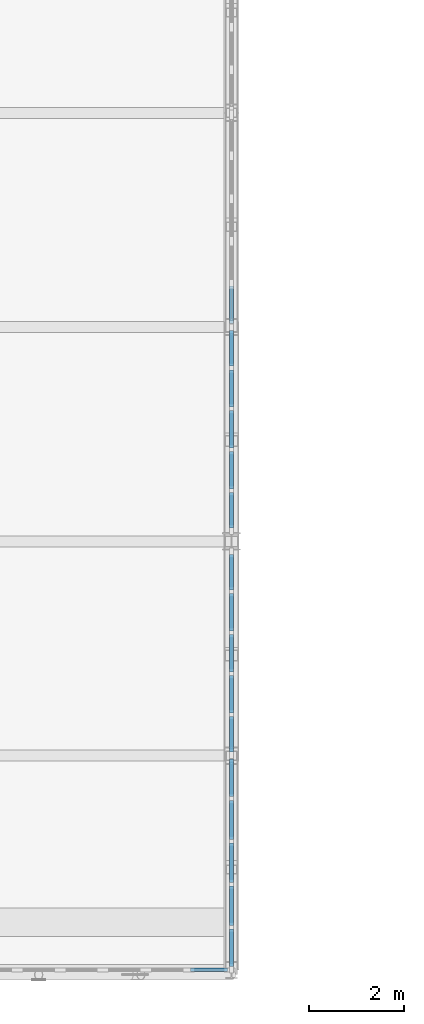
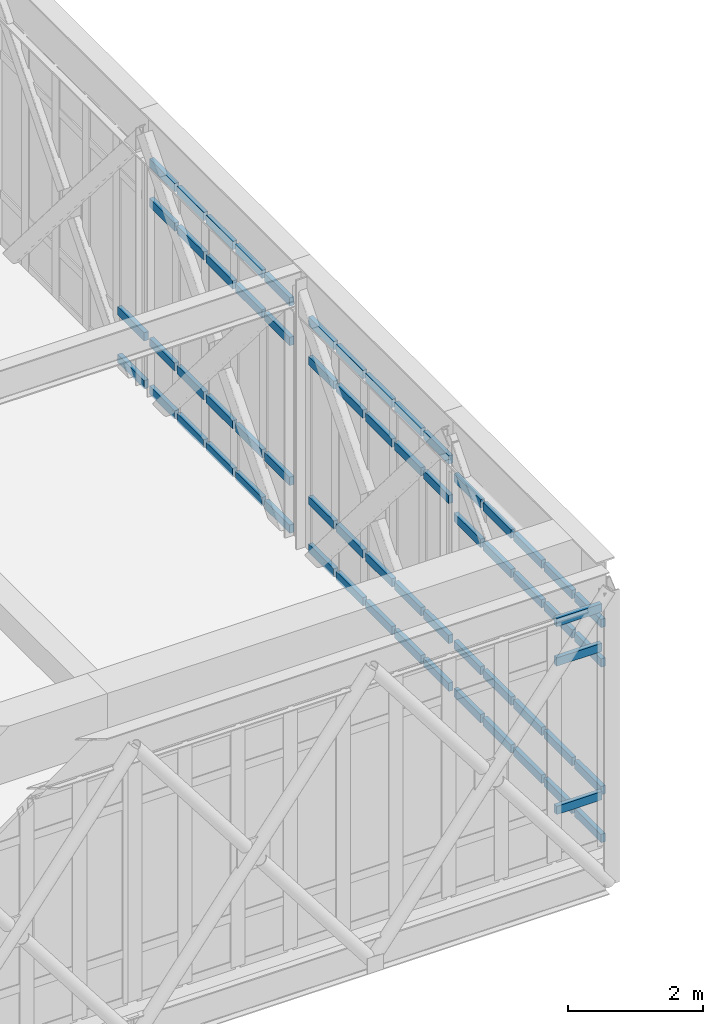
# One storey, part 33 of 70: 65 members, 5 elements without a shape of their own.
"""IFC4 building model written with IfcOpenShell, lengths in metres."""

from ifc_helpers import new_model, si_unit, direction, frame, origin, origin_2d, place, context, subcontext, project, spatial, rectangle, extrude, material, material_profile, profile_set, type_object, element, aggregate, save


model = new_model("IFC4")

# Units and contexts
model_context = context("Model", 3, precision=1e-05, world=origin(), true_north=direction((0.0, 1.0)))
body_context = subcontext(model_context, "Body", "Model", "MODEL_VIEW")
ifc_project = project(units=[si_unit("LENGTHUNIT", "METRE"), si_unit("AREAUNIT", "SQUARE_METRE"), si_unit("VOLUMEUNIT", "CUBIC_METRE"), si_unit("PLANEANGLEUNIT", "RADIAN"), si_unit("MASSUNIT", "GRAM", prefix="KILO")], contexts=[model_context])

# Site, building, storey
site_placement = place(None, origin())
site = spatial("IfcSite", under=ifc_project, at=site_placement, CompositionType="ELEMENT")
building_placement = place(site_placement, origin())
building = spatial("IfcBuilding", under=site, at=building_placement, Name="Tarnveldt Square Police Headquarters", CompositionType="ELEMENT")
storey_placement = place(building_placement, frame((0.0, 0.0, 19.800048828125)))
storey = spatial("IfcBuildingStorey", under=building, at=storey_placement, Name="L04", CompositionType="ELEMENT", Elevation=19.800048828125)

# Curtain wall, members
ifc_material_1 = material(Name="UL 752 Level III laminated ballistic vision glass", Category="glass")
curtain_wall_type_1 = type_object("IfcCurtainWallType", Name="CW-BL-810x433", PredefinedType="USERDEFINED", material=ifc_material_1)
curtain_wall_1_placement = place(storey_placement, origin())
curtain_wall_1 = element("IfcCurtainWall", 1, at=curtain_wall_1_placement, inside=storey, type_object=curtain_wall_type_1, Name="L04 Curtain Wall CW-L04-046", ObjectType="BALLISTIC CURTAIN WALL", PredefinedType="USERDEFINED")
ifc_material_2 = material(Name="Thermally broken anodised aluminium 6063-T6", Category="aluminium")
ifc_material_profile = material_profile(ifc_material_2, rectangle(XDim=0.074951171875, YDim=0.14990234375, at=origin_2d()), Name="CW-T75x150")
ifc_profile_set = profile_set([ifc_material_profile], Name="Thermally broken anodised aluminium 6063-T6")
member_type = type_object("IfcMemberType", Name="CWT-75x150", PredefinedType="USERDEFINED", material=ifc_profile_set)
member_1_placement = place(storey_placement, frame((63.9423828125, 7.0, 0.89990234375), z_axis=(1.0, 0.0, 0.0), x_axis=(0.0, 1.0, 0.0)))
member_1 = element("IfcMember", 2, at=member_1_placement, type_object=member_type, Name="CW-BL17 transom 9.2", ObjectType="TRANSOM", PredefinedType="USERDEFINED", context=body_context, shape_type="SweptSolid", body=[
    extrude(rectangle(XDim=0.074951171875, YDim=0.14990234375, at=origin_2d()), origin(), (0.0, 0.0, 1.0), 0.772705078125),
])
member_2_placement = place(storey_placement, frame((63.9423828125, 7.0, 3.576416015625), z_axis=(1.0, 0.0, 0.0), x_axis=(0.0, 1.0, 0.0)))
member_2 = element("IfcMember", 3, at=member_2_placement, type_object=member_type, Name="CW-BL17 transom 9.3", ObjectType="TRANSOM", PredefinedType="USERDEFINED", context=body_context, shape_type="SweptSolid", body=[
    extrude(rectangle(XDim=0.074951171875, YDim=0.14990234375, at=origin_2d()), origin(), (0.0, 0.0, 1.0), 0.772705078125),
])
member_3_placement = place(storey_placement, frame((63.9423828125, 7.0, 4.2890625), z_axis=(1.0, 0.0, 0.0), x_axis=(0.0, 1.0, 0.0)))
member_3 = element("IfcMember", 4, at=member_3_placement, type_object=member_type, Name="CW-BL17 transom 9.4", ObjectType="TRANSOM", PredefinedType="USERDEFINED", context=body_context, shape_type="SweptSolid", body=[
    extrude(rectangle(XDim=0.074951171875, YDim=0.14990234375, at=origin_2d()), origin(), (0.0, 0.0, 1.0), 0.772705078125),
])
aggregate(curtain_wall_1, [member_1, member_2, member_3])

ifc_material_3 = material(Name="Triple-glazed low-e laminated vision glass", Category="glass")
curtain_wall_type_2 = type_object("IfcCurtainWallType", Name="CW-LT-450x395", PredefinedType="USERDEFINED", material=ifc_material_3)
curtain_wall_2_placement = place(storey_placement, origin())
curtain_wall_2 = element("IfcCurtainWall", 5, at=curtain_wall_2_placement, inside=storey, type_object=curtain_wall_type_2, Name="L04 Curtain Wall CW-L04-056", ObjectType="GLAZED CURTAIN WALL", PredefinedType="USERDEFINED")
member_4_placement = place(storey_placement, frame((64.800048828125, 7.074951171875, 0.037353515625), z_axis=(0.0, 1.0, 0.0), x_axis=(-1.0, 0.0, 0.0)))
member_4 = element("IfcMember", 6, at=member_4_placement, type_object=member_type, Name="CW-LT20 transom 1.1", ObjectType="TRANSOM", PredefinedType="USERDEFINED", context=body_context, shape_type="SweptSolid", body=[
    extrude(rectangle(XDim=0.074951171875, YDim=0.14990234375, at=origin_2d()), origin(), (0.0, 0.0, 1.0), 0.78759765625),
])
member_5_placement = place(storey_placement, frame((64.800048828125, 7.074951171875, 0.89990234375), z_axis=(0.0, 1.0, 0.0), x_axis=(-1.0, 0.0, 0.0)))
member_5 = element("IfcMember", 7, at=member_5_placement, type_object=member_type, Name="CW-LT20 transom 1.2", ObjectType="TRANSOM", PredefinedType="USERDEFINED", context=body_context, shape_type="SweptSolid", body=[
    extrude(rectangle(XDim=0.074951171875, YDim=0.14990234375, at=origin_2d()), origin(), (0.0, 0.0, 1.0), 0.78759765625),
])
member_6_placement = place(storey_placement, frame((64.800048828125, 7.074951171875, 3.201904296875), z_axis=(0.0, 1.0, 0.0), x_axis=(-1.0, 0.0, 0.0)))
member_6 = element("IfcMember", 8, at=member_6_placement, type_object=member_type, Name="CW-LT20 transom 1.3", ObjectType="TRANSOM", PredefinedType="USERDEFINED", context=body_context, shape_type="SweptSolid", body=[
    extrude(rectangle(XDim=0.074951171875, YDim=0.14990234375, at=origin_2d()), origin(), (0.0, 0.0, 1.0), 0.78759765625),
])
member_7_placement = place(storey_placement, frame((64.800048828125, 7.074951171875, 3.914306640625), z_axis=(0.0, 1.0, 0.0), x_axis=(-1.0, 0.0, 0.0)))
member_7 = element("IfcMember", 9, at=member_7_placement, type_object=member_type, Name="CW-LT20 transom 1.4", ObjectType="TRANSOM", PredefinedType="USERDEFINED", context=body_context, shape_type="SweptSolid", body=[
    extrude(rectangle(XDim=0.074951171875, YDim=0.14990234375, at=origin_2d()), origin(), (0.0, 0.0, 1.0), 0.78759765625),
])
member_8_placement = place(storey_placement, frame((64.800048828125, 7.9375, 0.037353515625), z_axis=(0.0, 1.0, 0.0), x_axis=(-1.0, 0.0, 0.0)))
member_8 = element("IfcMember", 10, at=member_8_placement, type_object=member_type, Name="CW-LT20 transom 2.1", ObjectType="TRANSOM", PredefinedType="USERDEFINED", context=body_context, shape_type="SweptSolid", body=[
    extrude(rectangle(XDim=0.074951171875, YDim=0.14990234375, at=origin_2d()), origin(), (0.0, 0.0, 1.0), 0.824951171875),
])
member_9_placement = place(storey_placement, frame((64.800048828125, 7.9375, 0.89990234375), z_axis=(0.0, 1.0, 0.0), x_axis=(-1.0, 0.0, 0.0)))
member_9 = element("IfcMember", 11, at=member_9_placement, type_object=member_type, Name="CW-LT20 transom 2.2", ObjectType="TRANSOM", PredefinedType="USERDEFINED", context=body_context, shape_type="SweptSolid", body=[
    extrude(rectangle(XDim=0.074951171875, YDim=0.14990234375, at=origin_2d()), origin(), (0.0, 0.0, 1.0), 0.824951171875),
])
member_10_placement = place(storey_placement, frame((64.800048828125, 7.9375, 3.201904296875), z_axis=(0.0, 1.0, 0.0), x_axis=(-1.0, 0.0, 0.0)))
member_10 = element("IfcMember", 12, at=member_10_placement, type_object=member_type, Name="CW-LT20 transom 2.3", ObjectType="TRANSOM", PredefinedType="USERDEFINED", context=body_context, shape_type="SweptSolid", body=[
    extrude(rectangle(XDim=0.074951171875, YDim=0.14990234375, at=origin_2d()), origin(), (0.0, 0.0, 1.0), 0.824951171875),
])
member_11_placement = place(storey_placement, frame((64.800048828125, 7.9375, 3.914306640625), z_axis=(0.0, 1.0, 0.0), x_axis=(-1.0, 0.0, 0.0)))
member_11 = element("IfcMember", 13, at=member_11_placement, type_object=member_type, Name="CW-LT20 transom 2.4", ObjectType="TRANSOM", PredefinedType="USERDEFINED", context=body_context, shape_type="SweptSolid", body=[
    extrude(rectangle(XDim=0.074951171875, YDim=0.14990234375, at=origin_2d()), origin(), (0.0, 0.0, 1.0), 0.824951171875),
])
member_12_placement = place(storey_placement, frame((64.800048828125, 8.83740234375, 0.037353515625), z_axis=(0.0, 1.0, 0.0), x_axis=(-1.0, 0.0, 0.0)))
member_12 = element("IfcMember", 14, at=member_12_placement, type_object=member_type, Name="CW-LT20 transom 3.1", ObjectType="TRANSOM", PredefinedType="USERDEFINED", context=body_context, shape_type="SweptSolid", body=[
    extrude(rectangle(XDim=0.074951171875, YDim=0.14990234375, at=origin_2d()), origin(), (0.0, 0.0, 1.0), 0.8251953125),
])
member_13_placement = place(storey_placement, frame((64.800048828125, 8.83740234375, 0.89990234375), z_axis=(0.0, 1.0, 0.0), x_axis=(-1.0, 0.0, 0.0)))
member_13 = element("IfcMember", 15, at=member_13_placement, type_object=member_type, Name="CW-LT20 transom 3.2", ObjectType="TRANSOM", PredefinedType="USERDEFINED", context=body_context, shape_type="SweptSolid", body=[
    extrude(rectangle(XDim=0.074951171875, YDim=0.14990234375, at=origin_2d()), origin(), (0.0, 0.0, 1.0), 0.8251953125),
])
member_14_placement = place(storey_placement, frame((64.800048828125, 8.83740234375, 3.201904296875), z_axis=(0.0, 1.0, 0.0), x_axis=(-1.0, 0.0, 0.0)))
member_14 = element("IfcMember", 16, at=member_14_placement, type_object=member_type, Name="CW-LT20 transom 3.3", ObjectType="TRANSOM", PredefinedType="USERDEFINED", context=body_context, shape_type="SweptSolid", body=[
    extrude(rectangle(XDim=0.074951171875, YDim=0.14990234375, at=origin_2d()), origin(), (0.0, 0.0, 1.0), 0.8251953125),
])
member_15_placement = place(storey_placement, frame((64.800048828125, 8.83740234375, 3.914306640625), z_axis=(0.0, 1.0, 0.0), x_axis=(-1.0, 0.0, 0.0)))
member_15 = element("IfcMember", 17, at=member_15_placement, type_object=member_type, Name="CW-LT20 transom 3.4", ObjectType="TRANSOM", PredefinedType="USERDEFINED", context=body_context, shape_type="SweptSolid", body=[
    extrude(rectangle(XDim=0.074951171875, YDim=0.14990234375, at=origin_2d()), origin(), (0.0, 0.0, 1.0), 0.8251953125),
])
member_16_placement = place(storey_placement, frame((64.800048828125, 9.737548828125, 0.037353515625), z_axis=(0.0, 1.0, 0.0), x_axis=(-1.0, 0.0, 0.0)))
member_16 = element("IfcMember", 18, at=member_16_placement, type_object=member_type, Name="CW-LT20 transom 4.1", ObjectType="TRANSOM", PredefinedType="USERDEFINED", context=body_context, shape_type="SweptSolid", body=[
    extrude(rectangle(XDim=0.074951171875, YDim=0.14990234375, at=origin_2d()), origin(), (0.0, 0.0, 1.0), 0.824951171875),
])
member_17_placement = place(storey_placement, frame((64.800048828125, 9.737548828125, 0.89990234375), z_axis=(0.0, 1.0, 0.0), x_axis=(-1.0, 0.0, 0.0)))
member_17 = element("IfcMember", 19, at=member_17_placement, type_object=member_type, Name="CW-LT20 transom 4.2", ObjectType="TRANSOM", PredefinedType="USERDEFINED", context=body_context, shape_type="SweptSolid", body=[
    extrude(rectangle(XDim=0.074951171875, YDim=0.14990234375, at=origin_2d()), origin(), (0.0, 0.0, 1.0), 0.824951171875),
])
member_18_placement = place(storey_placement, frame((64.800048828125, 9.737548828125, 3.201904296875), z_axis=(0.0, 1.0, 0.0), x_axis=(-1.0, 0.0, 0.0)))
member_18 = element("IfcMember", 20, at=member_18_placement, type_object=member_type, Name="CW-LT20 transom 4.3", ObjectType="TRANSOM", PredefinedType="USERDEFINED", context=body_context, shape_type="SweptSolid", body=[
    extrude(rectangle(XDim=0.074951171875, YDim=0.14990234375, at=origin_2d()), origin(), (0.0, 0.0, 1.0), 0.824951171875),
])
member_19_placement = place(storey_placement, frame((64.800048828125, 9.737548828125, 3.914306640625), z_axis=(0.0, 1.0, 0.0), x_axis=(-1.0, 0.0, 0.0)))
member_19 = element("IfcMember", 21, at=member_19_placement, type_object=member_type, Name="CW-LT20 transom 4.4", ObjectType="TRANSOM", PredefinedType="USERDEFINED", context=body_context, shape_type="SweptSolid", body=[
    extrude(rectangle(XDim=0.074951171875, YDim=0.14990234375, at=origin_2d()), origin(), (0.0, 0.0, 1.0), 0.824951171875),
])
member_20_placement = place(storey_placement, frame((64.800048828125, 10.637451171875, 0.037353515625), z_axis=(0.0, 1.0, 0.0), x_axis=(-1.0, 0.0, 0.0)))
member_20 = element("IfcMember", 22, at=member_20_placement, type_object=member_type, Name="CW-LT20 transom 5.1", ObjectType="TRANSOM", PredefinedType="USERDEFINED", context=body_context, shape_type="SweptSolid", body=[
    extrude(rectangle(XDim=0.074951171875, YDim=0.14990234375, at=origin_2d()), origin(), (0.0, 0.0, 1.0), 0.78759765625),
])
member_21_placement = place(storey_placement, frame((64.800048828125, 10.637451171875, 0.89990234375), z_axis=(0.0, 1.0, 0.0), x_axis=(-1.0, 0.0, 0.0)))
member_21 = element("IfcMember", 23, at=member_21_placement, type_object=member_type, Name="CW-LT20 transom 5.2", ObjectType="TRANSOM", PredefinedType="USERDEFINED", context=body_context, shape_type="SweptSolid", body=[
    extrude(rectangle(XDim=0.074951171875, YDim=0.14990234375, at=origin_2d()), origin(), (0.0, 0.0, 1.0), 0.78759765625),
])
member_22_placement = place(storey_placement, frame((64.800048828125, 10.637451171875, 3.201904296875), z_axis=(0.0, 1.0, 0.0), x_axis=(-1.0, 0.0, 0.0)))
member_22 = element("IfcMember", 24, at=member_22_placement, type_object=member_type, Name="CW-LT20 transom 5.3", ObjectType="TRANSOM", PredefinedType="USERDEFINED", context=body_context, shape_type="SweptSolid", body=[
    extrude(rectangle(XDim=0.074951171875, YDim=0.14990234375, at=origin_2d()), origin(), (0.0, 0.0, 1.0), 0.78759765625),
])
member_23_placement = place(storey_placement, frame((64.800048828125, 10.637451171875, 3.914306640625), z_axis=(0.0, 1.0, 0.0), x_axis=(-1.0, 0.0, 0.0)))
member_23 = element("IfcMember", 25, at=member_23_placement, type_object=member_type, Name="CW-LT20 transom 5.4", ObjectType="TRANSOM", PredefinedType="USERDEFINED", context=body_context, shape_type="SweptSolid", body=[
    extrude(rectangle(XDim=0.074951171875, YDim=0.14990234375, at=origin_2d()), origin(), (0.0, 0.0, 1.0), 0.78759765625),
])
aggregate(curtain_wall_2, [member_4, member_5, member_6, member_7, member_8, member_9, member_10, member_11, member_12, member_13, member_14, member_15, member_16, member_17, member_18, member_19, member_20, member_21, member_22, member_23])

curtain_wall_type_3 = type_object("IfcCurtainWallType", Name="CW-LT-430x417", PredefinedType="USERDEFINED", material=ifc_material_3)
curtain_wall_3_placement = place(storey_placement, origin())
curtain_wall_3 = element("IfcCurtainWall", 26, at=curtain_wall_3_placement, inside=storey, type_object=curtain_wall_type_3, Name="L04 Curtain Wall CW-L04-057", ObjectType="GLAZED CURTAIN WALL", PredefinedType="USERDEFINED")
member_24_placement = place(storey_placement, frame((64.800048828125, 11.574951171875, 0.037353515625), z_axis=(0.0, 1.0, 0.0), x_axis=(-1.0, 0.0, 0.0)))
member_24 = element("IfcMember", 27, at=member_24_placement, type_object=member_type, Name="CW-LT21 transom 1.1", ObjectType="TRANSOM", PredefinedType="USERDEFINED", context=body_context, shape_type="SweptSolid", body=[
    extrude(rectangle(XDim=0.074951171875, YDim=0.14990234375, at=origin_2d()), origin(), (0.0, 0.0, 1.0), 0.7470703125),
])
member_25_placement = place(storey_placement, frame((64.800048828125, 11.574951171875, 0.89990234375), z_axis=(0.0, 1.0, 0.0), x_axis=(-1.0, 0.0, 0.0)))
member_25 = element("IfcMember", 28, at=member_25_placement, type_object=member_type, Name="CW-LT21 transom 1.2", ObjectType="TRANSOM", PredefinedType="USERDEFINED", context=body_context, shape_type="SweptSolid", body=[
    extrude(rectangle(XDim=0.074951171875, YDim=0.14990234375, at=origin_2d()), origin(), (0.0, 0.0, 1.0), 0.7470703125),
])
member_26_placement = place(storey_placement, frame((64.800048828125, 11.574951171875, 3.4228515625), z_axis=(0.0, 1.0, 0.0), x_axis=(-1.0, 0.0, 0.0)))
member_26 = element("IfcMember", 29, at=member_26_placement, type_object=member_type, Name="CW-LT21 transom 1.3", ObjectType="TRANSOM", PredefinedType="USERDEFINED", context=body_context, shape_type="SweptSolid", body=[
    extrude(rectangle(XDim=0.074951171875, YDim=0.14990234375, at=origin_2d()), origin(), (0.0, 0.0, 1.0), 0.7470703125),
])
member_27_placement = place(storey_placement, frame((64.800048828125, 11.574951171875, 4.135498046875), z_axis=(0.0, 1.0, 0.0), x_axis=(-1.0, 0.0, 0.0)))
member_27 = element("IfcMember", 30, at=member_27_placement, type_object=member_type, Name="CW-LT21 transom 1.4", ObjectType="TRANSOM", PredefinedType="USERDEFINED", context=body_context, shape_type="SweptSolid", body=[
    extrude(rectangle(XDim=0.074951171875, YDim=0.14990234375, at=origin_2d()), origin(), (0.0, 0.0, 1.0), 0.7470703125),
])
member_28_placement = place(storey_placement, frame((64.800048828125, 12.397216796875, 0.037353515625), z_axis=(0.0, 1.0, 0.0), x_axis=(-1.0, 0.0, 0.0)))
member_28 = element("IfcMember", 31, at=member_28_placement, type_object=member_type, Name="CW-LT21 transom 2.1", ObjectType="TRANSOM", PredefinedType="USERDEFINED", context=body_context, shape_type="SweptSolid", body=[
    extrude(rectangle(XDim=0.074951171875, YDim=0.14990234375, at=origin_2d()), origin(), (0.0, 0.0, 1.0), 0.784423828125),
])
member_29_placement = place(storey_placement, frame((64.800048828125, 12.397216796875, 0.89990234375), z_axis=(0.0, 1.0, 0.0), x_axis=(-1.0, 0.0, 0.0)))
member_29 = element("IfcMember", 32, at=member_29_placement, type_object=member_type, Name="CW-LT21 transom 2.2", ObjectType="TRANSOM", PredefinedType="USERDEFINED", context=body_context, shape_type="SweptSolid", body=[
    extrude(rectangle(XDim=0.074951171875, YDim=0.14990234375, at=origin_2d()), origin(), (0.0, 0.0, 1.0), 0.784423828125),
])
member_30_placement = place(storey_placement, frame((64.800048828125, 12.397216796875, 3.4228515625), z_axis=(0.0, 1.0, 0.0), x_axis=(-1.0, 0.0, 0.0)))
member_30 = element("IfcMember", 33, at=member_30_placement, type_object=member_type, Name="CW-LT21 transom 2.3", ObjectType="TRANSOM", PredefinedType="USERDEFINED", context=body_context, shape_type="SweptSolid", body=[
    extrude(rectangle(XDim=0.074951171875, YDim=0.14990234375, at=origin_2d()), origin(), (0.0, 0.0, 1.0), 0.784423828125),
])
member_31_placement = place(storey_placement, frame((64.800048828125, 12.397216796875, 4.135498046875), z_axis=(0.0, 1.0, 0.0), x_axis=(-1.0, 0.0, 0.0)))
member_31 = element("IfcMember", 34, at=member_31_placement, type_object=member_type, Name="CW-LT21 transom 2.4", ObjectType="TRANSOM", PredefinedType="USERDEFINED", context=body_context, shape_type="SweptSolid", body=[
    extrude(rectangle(XDim=0.074951171875, YDim=0.14990234375, at=origin_2d()), origin(), (0.0, 0.0, 1.0), 0.784423828125),
])
member_32_placement = place(storey_placement, frame((64.800048828125, 13.256591796875, 0.037353515625), z_axis=(0.0, 1.0, 0.0), x_axis=(-1.0, 0.0, 0.0)))
member_32 = element("IfcMember", 35, at=member_32_placement, type_object=member_type, Name="CW-LT21 transom 3.1", ObjectType="TRANSOM", PredefinedType="USERDEFINED", context=body_context, shape_type="SweptSolid", body=[
    extrude(rectangle(XDim=0.074951171875, YDim=0.14990234375, at=origin_2d()), origin(), (0.0, 0.0, 1.0), 0.78466796875),
])
member_33_placement = place(storey_placement, frame((64.800048828125, 13.256591796875, 0.89990234375), z_axis=(0.0, 1.0, 0.0), x_axis=(-1.0, 0.0, 0.0)))
member_33 = element("IfcMember", 36, at=member_33_placement, type_object=member_type, Name="CW-LT21 transom 3.2", ObjectType="TRANSOM", PredefinedType="USERDEFINED", context=body_context, shape_type="SweptSolid", body=[
    extrude(rectangle(XDim=0.074951171875, YDim=0.14990234375, at=origin_2d()), origin(), (0.0, 0.0, 1.0), 0.78466796875),
])
member_34_placement = place(storey_placement, frame((64.800048828125, 13.256591796875, 3.4228515625), z_axis=(0.0, 1.0, 0.0), x_axis=(-1.0, 0.0, 0.0)))
member_34 = element("IfcMember", 37, at=member_34_placement, type_object=member_type, Name="CW-LT21 transom 3.3", ObjectType="TRANSOM", PredefinedType="USERDEFINED", context=body_context, shape_type="SweptSolid", body=[
    extrude(rectangle(XDim=0.074951171875, YDim=0.14990234375, at=origin_2d()), origin(), (0.0, 0.0, 1.0), 0.78466796875),
])
member_35_placement = place(storey_placement, frame((64.800048828125, 13.256591796875, 4.135498046875), z_axis=(0.0, 1.0, 0.0), x_axis=(-1.0, 0.0, 0.0)))
member_35 = element("IfcMember", 38, at=member_35_placement, type_object=member_type, Name="CW-LT21 transom 3.4", ObjectType="TRANSOM", PredefinedType="USERDEFINED", context=body_context, shape_type="SweptSolid", body=[
    extrude(rectangle(XDim=0.074951171875, YDim=0.14990234375, at=origin_2d()), origin(), (0.0, 0.0, 1.0), 0.78466796875),
])
member_36_placement = place(storey_placement, frame((64.800048828125, 14.1162109375, 0.037353515625), z_axis=(0.0, 1.0, 0.0), x_axis=(-1.0, 0.0, 0.0)))
member_36 = element("IfcMember", 39, at=member_36_placement, type_object=member_type, Name="CW-LT21 transom 4.1", ObjectType="TRANSOM", PredefinedType="USERDEFINED", context=body_context, shape_type="SweptSolid", body=[
    extrude(rectangle(XDim=0.074951171875, YDim=0.14990234375, at=origin_2d()), origin(), (0.0, 0.0, 1.0), 0.78466796875),
])
member_37_placement = place(storey_placement, frame((64.800048828125, 14.1162109375, 0.89990234375), z_axis=(0.0, 1.0, 0.0), x_axis=(-1.0, 0.0, 0.0)))
member_37 = element("IfcMember", 40, at=member_37_placement, type_object=member_type, Name="CW-LT21 transom 4.2", ObjectType="TRANSOM", PredefinedType="USERDEFINED", context=body_context, shape_type="SweptSolid", body=[
    extrude(rectangle(XDim=0.074951171875, YDim=0.14990234375, at=origin_2d()), origin(), (0.0, 0.0, 1.0), 0.78466796875),
])
member_38_placement = place(storey_placement, frame((64.800048828125, 14.1162109375, 3.4228515625), z_axis=(0.0, 1.0, 0.0), x_axis=(-1.0, 0.0, 0.0)))
member_38 = element("IfcMember", 41, at=member_38_placement, type_object=member_type, Name="CW-LT21 transom 4.3", ObjectType="TRANSOM", PredefinedType="USERDEFINED", context=body_context, shape_type="SweptSolid", body=[
    extrude(rectangle(XDim=0.074951171875, YDim=0.14990234375, at=origin_2d()), origin(), (0.0, 0.0, 1.0), 0.78466796875),
])
member_39_placement = place(storey_placement, frame((64.800048828125, 14.1162109375, 4.135498046875), z_axis=(0.0, 1.0, 0.0), x_axis=(-1.0, 0.0, 0.0)))
member_39 = element("IfcMember", 42, at=member_39_placement, type_object=member_type, Name="CW-LT21 transom 4.4", ObjectType="TRANSOM", PredefinedType="USERDEFINED", context=body_context, shape_type="SweptSolid", body=[
    extrude(rectangle(XDim=0.074951171875, YDim=0.14990234375, at=origin_2d()), origin(), (0.0, 0.0, 1.0), 0.78466796875),
])
member_40_placement = place(storey_placement, frame((64.800048828125, 14.975830078125, 0.037353515625), z_axis=(0.0, 1.0, 0.0), x_axis=(-1.0, 0.0, 0.0)))
member_40 = element("IfcMember", 43, at=member_40_placement, type_object=member_type, Name="CW-LT21 transom 5.1", ObjectType="TRANSOM", PredefinedType="USERDEFINED", context=body_context, shape_type="SweptSolid", body=[
    extrude(rectangle(XDim=0.074951171875, YDim=0.14990234375, at=origin_2d()), origin(), (0.0, 0.0, 1.0), 0.7470703125),
])
member_41_placement = place(storey_placement, frame((64.800048828125, 14.975830078125, 0.89990234375), z_axis=(0.0, 1.0, 0.0), x_axis=(-1.0, 0.0, 0.0)))
member_41 = element("IfcMember", 44, at=member_41_placement, type_object=member_type, Name="CW-LT21 transom 5.2", ObjectType="TRANSOM", PredefinedType="USERDEFINED", context=body_context, shape_type="SweptSolid", body=[
    extrude(rectangle(XDim=0.074951171875, YDim=0.14990234375, at=origin_2d()), origin(), (0.0, 0.0, 1.0), 0.7470703125),
])
member_42_placement = place(storey_placement, frame((64.800048828125, 14.975830078125, 3.4228515625), z_axis=(0.0, 1.0, 0.0), x_axis=(-1.0, 0.0, 0.0)))
member_42 = element("IfcMember", 45, at=member_42_placement, type_object=member_type, Name="CW-LT21 transom 5.3", ObjectType="TRANSOM", PredefinedType="USERDEFINED", context=body_context, shape_type="SweptSolid", body=[
    extrude(rectangle(XDim=0.074951171875, YDim=0.14990234375, at=origin_2d()), origin(), (0.0, 0.0, 1.0), 0.7470703125),
])
member_43_placement = place(storey_placement, frame((64.800048828125, 14.975830078125, 4.135498046875), z_axis=(0.0, 1.0, 0.0), x_axis=(-1.0, 0.0, 0.0)))
member_43 = element("IfcMember", 46, at=member_43_placement, type_object=member_type, Name="CW-LT21 transom 5.4", ObjectType="TRANSOM", PredefinedType="USERDEFINED", context=body_context, shape_type="SweptSolid", body=[
    extrude(rectangle(XDim=0.074951171875, YDim=0.14990234375, at=origin_2d()), origin(), (0.0, 0.0, 1.0), 0.7470703125),
])
aggregate(curtain_wall_3, [member_24, member_25, member_26, member_27, member_28, member_29, member_30, member_31, member_32, member_33, member_34, member_35, member_36, member_37, member_38, member_39, member_40, member_41, member_42, member_43])

curtain_wall_4_placement = place(storey_placement, origin())
curtain_wall_4 = element("IfcCurtainWall", 47, at=curtain_wall_4_placement, inside=storey, type_object=curtain_wall_type_3, Name="L04 Curtain Wall CW-L04-058", ObjectType="GLAZED CURTAIN WALL", PredefinedType="USERDEFINED")
member_44_placement = place(storey_placement, frame((64.800048828125, 16.277099609375, 0.037353515625), z_axis=(0.0, 1.0, 0.0), x_axis=(-1.0, 0.0, 0.0)))
member_44 = element("IfcMember", 48, at=member_44_placement, type_object=member_type, Name="CW-LT21 transom 1.1", ObjectType="TRANSOM", PredefinedType="USERDEFINED", context=body_context, shape_type="SweptSolid", body=[
    extrude(rectangle(XDim=0.074951171875, YDim=0.14990234375, at=origin_2d()), origin(), (0.0, 0.0, 1.0), 0.7470703125),
])
member_45_placement = place(storey_placement, frame((64.800048828125, 16.277099609375, 0.89990234375), z_axis=(0.0, 1.0, 0.0), x_axis=(-1.0, 0.0, 0.0)))
member_45 = element("IfcMember", 49, at=member_45_placement, type_object=member_type, Name="CW-LT21 transom 1.2", ObjectType="TRANSOM", PredefinedType="USERDEFINED", context=body_context, shape_type="SweptSolid", body=[
    extrude(rectangle(XDim=0.074951171875, YDim=0.14990234375, at=origin_2d()), origin(), (0.0, 0.0, 1.0), 0.7470703125),
])
member_46_placement = place(storey_placement, frame((64.800048828125, 16.277099609375, 3.4228515625), z_axis=(0.0, 1.0, 0.0), x_axis=(-1.0, 0.0, 0.0)))
member_46 = element("IfcMember", 50, at=member_46_placement, type_object=member_type, Name="CW-LT21 transom 1.3", ObjectType="TRANSOM", PredefinedType="USERDEFINED", context=body_context, shape_type="SweptSolid", body=[
    extrude(rectangle(XDim=0.074951171875, YDim=0.14990234375, at=origin_2d()), origin(), (0.0, 0.0, 1.0), 0.7470703125),
])
member_47_placement = place(storey_placement, frame((64.800048828125, 16.277099609375, 4.135498046875), z_axis=(0.0, 1.0, 0.0), x_axis=(-1.0, 0.0, 0.0)))
member_47 = element("IfcMember", 51, at=member_47_placement, type_object=member_type, Name="CW-LT21 transom 1.4", ObjectType="TRANSOM", PredefinedType="USERDEFINED", context=body_context, shape_type="SweptSolid", body=[
    extrude(rectangle(XDim=0.074951171875, YDim=0.14990234375, at=origin_2d()), origin(), (0.0, 0.0, 1.0), 0.7470703125),
])
member_48_placement = place(storey_placement, frame((64.800048828125, 17.09912109375, 0.037353515625), z_axis=(0.0, 1.0, 0.0), x_axis=(-1.0, 0.0, 0.0)))
member_48 = element("IfcMember", 52, at=member_48_placement, type_object=member_type, Name="CW-LT21 transom 2.1", ObjectType="TRANSOM", PredefinedType="USERDEFINED", context=body_context, shape_type="SweptSolid", body=[
    extrude(rectangle(XDim=0.074951171875, YDim=0.14990234375, at=origin_2d()), origin(), (0.0, 0.0, 1.0), 0.78466796875),
])
member_49_placement = place(storey_placement, frame((64.800048828125, 17.09912109375, 0.89990234375), z_axis=(0.0, 1.0, 0.0), x_axis=(-1.0, 0.0, 0.0)))
member_49 = element("IfcMember", 53, at=member_49_placement, type_object=member_type, Name="CW-LT21 transom 2.2", ObjectType="TRANSOM", PredefinedType="USERDEFINED", context=body_context, shape_type="SweptSolid", body=[
    extrude(rectangle(XDim=0.074951171875, YDim=0.14990234375, at=origin_2d()), origin(), (0.0, 0.0, 1.0), 0.78466796875),
])
member_50_placement = place(storey_placement, frame((64.800048828125, 17.09912109375, 3.4228515625), z_axis=(0.0, 1.0, 0.0), x_axis=(-1.0, 0.0, 0.0)))
member_50 = element("IfcMember", 54, at=member_50_placement, type_object=member_type, Name="CW-LT21 transom 2.3", ObjectType="TRANSOM", PredefinedType="USERDEFINED", context=body_context, shape_type="SweptSolid", body=[
    extrude(rectangle(XDim=0.074951171875, YDim=0.14990234375, at=origin_2d()), origin(), (0.0, 0.0, 1.0), 0.78466796875),
])
member_51_placement = place(storey_placement, frame((64.800048828125, 17.09912109375, 4.135498046875), z_axis=(0.0, 1.0, 0.0), x_axis=(-1.0, 0.0, 0.0)))
member_51 = element("IfcMember", 55, at=member_51_placement, type_object=member_type, Name="CW-LT21 transom 2.4", ObjectType="TRANSOM", PredefinedType="USERDEFINED", context=body_context, shape_type="SweptSolid", body=[
    extrude(rectangle(XDim=0.074951171875, YDim=0.14990234375, at=origin_2d()), origin(), (0.0, 0.0, 1.0), 0.78466796875),
])
member_52_placement = place(storey_placement, frame((64.800048828125, 17.958740234375, 0.037353515625), z_axis=(0.0, 1.0, 0.0), x_axis=(-1.0, 0.0, 0.0)))
member_52 = element("IfcMember", 56, at=member_52_placement, type_object=member_type, Name="CW-LT21 transom 3.1", ObjectType="TRANSOM", PredefinedType="USERDEFINED", context=body_context, shape_type="SweptSolid", body=[
    extrude(rectangle(XDim=0.074951171875, YDim=0.14990234375, at=origin_2d()), origin(), (0.0, 0.0, 1.0), 0.78466796875),
])
member_53_placement = place(storey_placement, frame((64.800048828125, 17.958740234375, 0.89990234375), z_axis=(0.0, 1.0, 0.0), x_axis=(-1.0, 0.0, 0.0)))
member_53 = element("IfcMember", 57, at=member_53_placement, type_object=member_type, Name="CW-LT21 transom 3.2", ObjectType="TRANSOM", PredefinedType="USERDEFINED", context=body_context, shape_type="SweptSolid", body=[
    extrude(rectangle(XDim=0.074951171875, YDim=0.14990234375, at=origin_2d()), origin(), (0.0, 0.0, 1.0), 0.78466796875),
])
member_54_placement = place(storey_placement, frame((64.800048828125, 17.958740234375, 3.4228515625), z_axis=(0.0, 1.0, 0.0), x_axis=(-1.0, 0.0, 0.0)))
member_54 = element("IfcMember", 58, at=member_54_placement, type_object=member_type, Name="CW-LT21 transom 3.3", ObjectType="TRANSOM", PredefinedType="USERDEFINED", context=body_context, shape_type="SweptSolid", body=[
    extrude(rectangle(XDim=0.074951171875, YDim=0.14990234375, at=origin_2d()), origin(), (0.0, 0.0, 1.0), 0.78466796875),
])
member_55_placement = place(storey_placement, frame((64.800048828125, 17.958740234375, 4.135498046875), z_axis=(0.0, 1.0, 0.0), x_axis=(-1.0, 0.0, 0.0)))
member_55 = element("IfcMember", 59, at=member_55_placement, type_object=member_type, Name="CW-LT21 transom 3.4", ObjectType="TRANSOM", PredefinedType="USERDEFINED", context=body_context, shape_type="SweptSolid", body=[
    extrude(rectangle(XDim=0.074951171875, YDim=0.14990234375, at=origin_2d()), origin(), (0.0, 0.0, 1.0), 0.78466796875),
])
member_56_placement = place(storey_placement, frame((64.800048828125, 18.818359375, 0.037353515625), z_axis=(0.0, 1.0, 0.0), x_axis=(-1.0, 0.0, 0.0)))
member_56 = element("IfcMember", 60, at=member_56_placement, type_object=member_type, Name="CW-LT21 transom 4.1", ObjectType="TRANSOM", PredefinedType="USERDEFINED", context=body_context, shape_type="SweptSolid", body=[
    extrude(rectangle(XDim=0.074951171875, YDim=0.14990234375, at=origin_2d()), origin(), (0.0, 0.0, 1.0), 0.784423828125),
])
member_57_placement = place(storey_placement, frame((64.800048828125, 18.818359375, 0.89990234375), z_axis=(0.0, 1.0, 0.0), x_axis=(-1.0, 0.0, 0.0)))
member_57 = element("IfcMember", 61, at=member_57_placement, type_object=member_type, Name="CW-LT21 transom 4.2", ObjectType="TRANSOM", PredefinedType="USERDEFINED", context=body_context, shape_type="SweptSolid", body=[
    extrude(rectangle(XDim=0.074951171875, YDim=0.14990234375, at=origin_2d()), origin(), (0.0, 0.0, 1.0), 0.784423828125),
])
member_58_placement = place(storey_placement, frame((64.800048828125, 18.818359375, 3.4228515625), z_axis=(0.0, 1.0, 0.0), x_axis=(-1.0, 0.0, 0.0)))
member_58 = element("IfcMember", 62, at=member_58_placement, type_object=member_type, Name="CW-LT21 transom 4.3", ObjectType="TRANSOM", PredefinedType="USERDEFINED", context=body_context, shape_type="SweptSolid", body=[
    extrude(rectangle(XDim=0.074951171875, YDim=0.14990234375, at=origin_2d()), origin(), (0.0, 0.0, 1.0), 0.784423828125),
])
member_59_placement = place(storey_placement, frame((64.800048828125, 18.818359375, 4.135498046875), z_axis=(0.0, 1.0, 0.0), x_axis=(-1.0, 0.0, 0.0)))
member_59 = element("IfcMember", 63, at=member_59_placement, type_object=member_type, Name="CW-LT21 transom 4.4", ObjectType="TRANSOM", PredefinedType="USERDEFINED", context=body_context, shape_type="SweptSolid", body=[
    extrude(rectangle(XDim=0.074951171875, YDim=0.14990234375, at=origin_2d()), origin(), (0.0, 0.0, 1.0), 0.784423828125),
])
member_60_placement = place(storey_placement, frame((64.800048828125, 19.677978515625, 0.037353515625), z_axis=(0.0, 1.0, 0.0), x_axis=(-1.0, 0.0, 0.0)))
member_60 = element("IfcMember", 64, at=member_60_placement, type_object=member_type, Name="CW-LT21 transom 5.1", ObjectType="TRANSOM", PredefinedType="USERDEFINED", context=body_context, shape_type="SweptSolid", body=[
    extrude(rectangle(XDim=0.074951171875, YDim=0.14990234375, at=origin_2d()), origin(), (0.0, 0.0, 1.0), 0.7470703125),
])
member_61_placement = place(storey_placement, frame((64.800048828125, 19.677978515625, 0.89990234375), z_axis=(0.0, 1.0, 0.0), x_axis=(-1.0, 0.0, 0.0)))
member_61 = element("IfcMember", 65, at=member_61_placement, type_object=member_type, Name="CW-LT21 transom 5.2", ObjectType="TRANSOM", PredefinedType="USERDEFINED", context=body_context, shape_type="SweptSolid", body=[
    extrude(rectangle(XDim=0.074951171875, YDim=0.14990234375, at=origin_2d()), origin(), (0.0, 0.0, 1.0), 0.7470703125),
])
member_62_placement = place(storey_placement, frame((64.800048828125, 19.677978515625, 3.4228515625), z_axis=(0.0, 1.0, 0.0), x_axis=(-1.0, 0.0, 0.0)))
member_62 = element("IfcMember", 66, at=member_62_placement, type_object=member_type, Name="CW-LT21 transom 5.3", ObjectType="TRANSOM", PredefinedType="USERDEFINED", context=body_context, shape_type="SweptSolid", body=[
    extrude(rectangle(XDim=0.074951171875, YDim=0.14990234375, at=origin_2d()), origin(), (0.0, 0.0, 1.0), 0.7470703125),
])
member_63_placement = place(storey_placement, frame((64.800048828125, 19.677978515625, 4.135498046875), z_axis=(0.0, 1.0, 0.0), x_axis=(-1.0, 0.0, 0.0)))
member_63 = element("IfcMember", 67, at=member_63_placement, type_object=member_type, Name="CW-LT21 transom 5.4", ObjectType="TRANSOM", PredefinedType="USERDEFINED", context=body_context, shape_type="SweptSolid", body=[
    extrude(rectangle(XDim=0.074951171875, YDim=0.14990234375, at=origin_2d()), origin(), (0.0, 0.0, 1.0), 0.7470703125),
])
aggregate(curtain_wall_4, [member_44, member_45, member_46, member_47, member_48, member_49, member_50, member_51, member_52, member_53, member_54, member_55, member_56, member_57, member_58, member_59, member_60, member_61, member_62, member_63])

curtain_wall_type_4 = type_object("IfcCurtainWallType", Name="CW-LT-450x417", PredefinedType="USERDEFINED", material=ifc_material_3)
curtain_wall_5_placement = place(storey_placement, origin())
curtain_wall_5 = element("IfcCurtainWall", 68, at=curtain_wall_5_placement, inside=storey, type_object=curtain_wall_type_4, Name="L04 Curtain Wall CW-L04-059", ObjectType="GLAZED CURTAIN WALL", PredefinedType="USERDEFINED")
member_64_placement = place(storey_placement, frame((64.800048828125, 20.574951171875, 0.037353515625), z_axis=(0.0, 1.0, 0.0), x_axis=(-1.0, 0.0, 0.0)))
member_64 = element("IfcMember", 69, at=member_64_placement, type_object=member_type, Name="CW-LT22 transom 1.1", ObjectType="TRANSOM", PredefinedType="USERDEFINED", context=body_context, shape_type="SweptSolid", body=[
    extrude(rectangle(XDim=0.074951171875, YDim=0.14990234375, at=origin_2d()), origin(), (0.0, 0.0, 1.0), 0.78759765625),
])
member_65_placement = place(storey_placement, frame((64.800048828125, 20.574951171875, 0.89990234375), z_axis=(0.0, 1.0, 0.0), x_axis=(-1.0, 0.0, 0.0)))
member_65 = element("IfcMember", 70, at=member_65_placement, type_object=member_type, Name="CW-LT22 transom 1.2", ObjectType="TRANSOM", PredefinedType="USERDEFINED", context=body_context, shape_type="SweptSolid", body=[
    extrude(rectangle(XDim=0.074951171875, YDim=0.14990234375, at=origin_2d()), origin(), (0.0, 0.0, 1.0), 0.78759765625),
])
aggregate(curtain_wall_5, [member_64, member_65])

save(model, "model.ifc")
